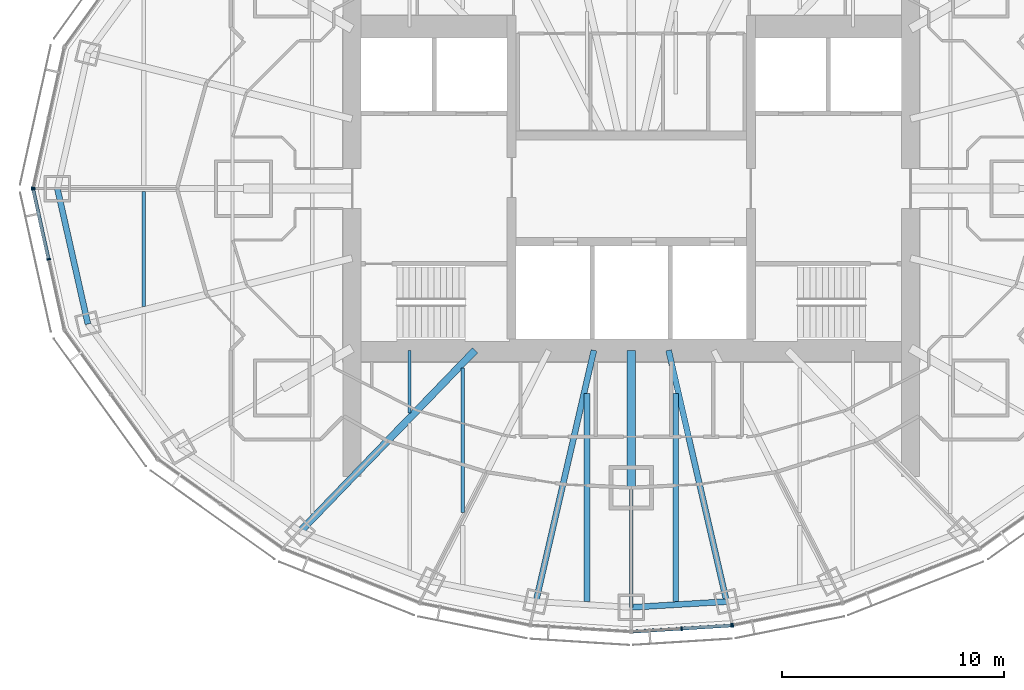
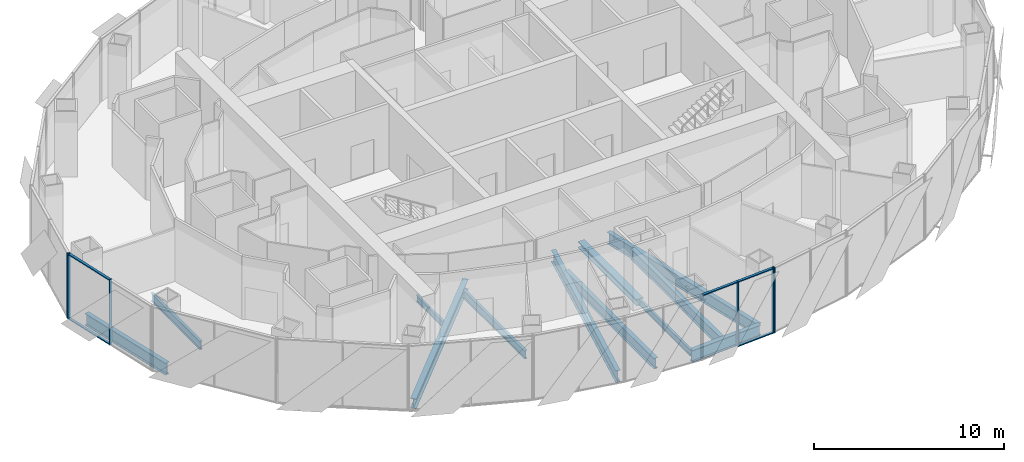
# One storey, part 3 of 18: 12 beams, 11 members, 4 elements without a shape of their own.
"""IFC4 building model written with IfcOpenShell, lengths in metres."""

from ifc_helpers import new_model, si_unit, direction, frame, origin, origin_2d, place, context, subcontext, project, spatial, rectangle, i_section, extrude, material, material_profile, profile_set, type_object, element, aggregate, save


model = new_model("IFC4")

# Units and contexts
model_context = context("Model", 3, precision=1e-05, world=origin(), true_north=direction((0.0, 1.0)))
body_context = subcontext(model_context, "Body", "Model", "MODEL_VIEW")
ifc_project = project(units=[si_unit("LENGTHUNIT", "METRE"), si_unit("AREAUNIT", "SQUARE_METRE"), si_unit("VOLUMEUNIT", "CUBIC_METRE"), si_unit("PLANEANGLEUNIT", "RADIAN"), si_unit("MASSUNIT", "GRAM", prefix="KILO")], contexts=[model_context])

# Site, building, storey
site_placement = place(None, origin())
site = spatial("IfcSite", under=ifc_project, at=site_placement, CompositionType="ELEMENT")
building_placement = place(site_placement, origin())
building = spatial("IfcBuilding", under=site, at=building_placement, Name="Lantaw Convention Tower", CompositionType="ELEMENT")
storey_placement = place(building_placement, frame((0.0, 0.0, 236.800048828125)))
storey = spatial("IfcBuildingStorey", under=building, at=storey_placement, Name="L55", CompositionType="ELEMENT", Elevation=236.800048828125)

# Beams
ifc_material_1 = material(Name="Steel ASTM A992", Category="steel")
ifc_material_profile_1 = material_profile(ifc_material_1, i_section(OverallWidth=0.2666015625, OverallDepth=0.76953125, WebThickness=0.015625, FlangeThickness=0.025390625, FilletRadius=0.0126953125, at=origin_2d()), Name="W30X132")
ifc_profile_set_1 = profile_set([ifc_material_profile_1], Name="Steel ASTM A992")
beam_type_1 = type_object("IfcBeamType", Name="Beam E W30X132", PredefinedType="SPANDREL", material=ifc_profile_set_1)
beam_1_placement = place(storey_placement, frame((-25.89990234375, 0.0, -0.534912109375), z_axis=(0.219857926596, -0.97553190215, 0.0), x_axis=(0.97553190215, 0.219857926596, 0.0)))
element("IfcBeam", 1, at=beam_1_placement, inside=storey, type_object=beam_type_1, Name="Edge beam 13", PredefinedType="SPANDREL", context=body_context, shape_type="SweptSolid", body=[
    extrude(i_section(OverallWidth=0.2666015625, OverallDepth=0.76953125, WebThickness=0.015625, FlangeThickness=0.025390625, FilletRadius=0.0126953125, at=origin_2d()), origin(), (0.0, 0.0, 1.0), 6.267333984375),
])
beam_2_placement = place(storey_placement, frame((0.0, -18.89990234375, -0.534912109375), z_axis=(0.998210730897, 0.059794119452, 0.0), x_axis=(-0.059794119452, 0.998210730897, 0.0)))
element("IfcBeam", 2, at=beam_2_placement, inside=storey, type_object=beam_type_1, Name="Edge beam 19", PredefinedType="SPANDREL", context=body_context, shape_type="SweptSolid", body=[
    extrude(i_section(OverallWidth=0.2666015625, OverallDepth=0.76953125, WebThickness=0.015625, FlangeThickness=0.025390625, FilletRadius=0.0126953125, at=origin_2d()), origin(), (0.0, 0.0, 1.0), 4.311767578125),
])
ifc_material_profile_2 = material_profile(ifc_material_1, i_section(OverallWidth=0.140380859375, OverallDepth=0.40380859375, WebThickness=0.007080078125, FlangeThickness=0.01123046875, FilletRadius=0.01025390625, at=origin_2d()), Name="W16X31")
ifc_profile_set_2 = profile_set([ifc_material_profile_2], Name="Steel ASTM A992")
beam_type_2 = type_object("IfcBeamType", Name="Beam G W16X31", PredefinedType="BEAM", material=ifc_profile_set_2)
beam_3_placement = place(storey_placement, frame((0.0, -13.5, -0.35205078125), z_axis=(0.0, -1.0, 0.0), x_axis=(1.0, 0.0, 0.0)))
element("IfcBeam", 3, at=beam_3_placement, inside=storey, type_object=beam_type_2, Name="Floor girder on ray 19", PredefinedType="BEAM", context=body_context, shape_type="SweptSolid", body=[
    extrude(i_section(OverallWidth=0.140380859375, OverallDepth=0.40380859375, WebThickness=0.007080078125, FlangeThickness=0.01123046875, FilletRadius=0.01025390625, at=origin_2d()), origin(), (0.0, 0.0, 1.0), 5.39990234375),
])
ifc_material_profile_3 = material_profile(ifc_material_1, i_section(OverallWidth=0.32763671875, OverallDepth=0.64013671875, WebThickness=0.01904296875, FlangeThickness=0.033935546875, FilletRadius=0.0126953125, at=origin_2d()), Name="W24X176")
ifc_profile_set_3 = profile_set([ifc_material_profile_3], Name="Steel ASTM A992")
beam_type_3 = type_object("IfcBeamType", Name="Beam G W24X176", PredefinedType="BEAM", material=ifc_profile_set_3)
beam_4_placement = place(storey_placement, frame((-7.049560546875, -7.300048828125, -0.469970703125), z_axis=(-0.694657766726, -0.719340383356, 0.0), x_axis=(0.719340383356, -0.694657766726, 0.0)))
element("IfcBeam", 4, at=beam_4_placement, inside=storey, type_object=beam_type_3, Name="Floor girder on ray 16", PredefinedType="BEAM", context=body_context, shape_type="SweptSolid", body=[
    extrude(i_section(OverallWidth=0.32763671875, OverallDepth=0.64013671875, WebThickness=0.01904296875, FlangeThickness=0.033935546875, FilletRadius=0.0126953125, at=origin_2d()), origin(), (0.0, 0.0, 1.0), 11.364990234375),
])
ifc_material_profile_4 = material_profile(ifc_material_1, i_section(OverallWidth=0.2666015625, OverallDepth=0.7568359375, WebThickness=0.013916015625, FlangeThickness=0.019287109375, FilletRadius=0.0126953125, at=origin_2d()), Name="W30X108")
ifc_profile_set_4 = profile_set([ifc_material_profile_4], Name="Steel ASTM A992")
beam_type_4 = type_object("IfcBeamType", Name="Beam G W30X108", PredefinedType="BEAM", material=ifc_profile_set_4)
for number, where, z_axis, x_axis, name in (
    (5, (-1.685302734375, -7.300048828125, -0.528564453125), (-0.224962134377, -0.974367506692, 0.0), (0.974367506692, -0.224962134377, 0.0), "Floor girder on ray 18"),
    (6, (1.685302734375, -7.300048828125, -0.528564453125), (0.224962134377, -0.974367506692, 0.0), (0.974367506692, 0.224962134377, 0.0), "Floor girder on ray 20"),
):
    element("IfcBeam", number, at=place(storey_placement, frame(where, z_axis=z_axis, x_axis=x_axis)), inside=storey, type_object=beam_type_4, Name=name, PredefinedType="BEAM", context=body_context, shape_type="SweptSolid", body=[
        extrude(i_section(OverallWidth=0.2666015625, OverallDepth=0.7568359375, WebThickness=0.013916015625, FlangeThickness=0.019287109375, FilletRadius=0.0126953125, at=origin_2d()), origin(), (0.0, 0.0, 1.0), 11.640380859375),
    ])
ifc_material_profile_5 = material_profile(ifc_material_1, i_section(OverallWidth=0.40380859375, OverallDepth=0.406494140625, WebThickness=0.027099609375, FlangeThickness=0.043701171875, FilletRadius=0.01513671875, at=origin_2d()), Name="W14X233")
ifc_profile_set_5 = profile_set([ifc_material_profile_5], Name="Steel ASTM A992")
beam_type_5 = type_object("IfcBeamType", Name="Beam GM W14X233", PredefinedType="BEAM", material=ifc_profile_set_5)
beam_5_placement = place(storey_placement, frame((0.0, -7.300048828125, -0.353271484375), z_axis=(0.0, -1.0, 0.0), x_axis=(1.0, 0.0, 0.0)))
element("IfcBeam", 7, at=beam_5_placement, inside=storey, type_object=beam_type_5, Name="Core link beam on ray 19", PredefinedType="BEAM", context=body_context, shape_type="SweptSolid", body=[
    extrude(i_section(OverallWidth=0.40380859375, OverallDepth=0.406494140625, WebThickness=0.027099609375, FlangeThickness=0.043701171875, FilletRadius=0.01513671875, at=origin_2d()), origin(), (0.0, 0.0, 1.0), 6.199951171875),
])
ifc_material_profile_6 = material_profile(ifc_material_1, i_section(OverallWidth=0.140380859375, OverallDepth=0.40380859375, WebThickness=0.007080078125, FlangeThickness=0.01123046875, FilletRadius=0.01025390625, at=origin_2d()), Name="W16X31")
ifc_profile_set_6 = profile_set([ifc_material_profile_6], Name="Steel ASTM A992")
beam_type_6 = type_object("IfcBeamType", Name="Beam J W16X31", PredefinedType="JOIST", material=ifc_profile_set_6)
beam_6_placement = place(storey_placement, frame((-10.0, -10.119384765625, -0.35205078125), z_axis=(0.0, 1.0, 0.0), x_axis=(-1.0, 0.0, 0.0)))
element("IfcBeam", 8, at=beam_6_placement, inside=storey, type_object=beam_type_6, Name="Floor joist", PredefinedType="JOIST", context=body_context, shape_type="SweptSolid", body=[
    extrude(i_section(OverallWidth=0.140380859375, OverallDepth=0.40380859375, WebThickness=0.007080078125, FlangeThickness=0.01123046875, FilletRadius=0.01025390625, at=origin_2d()), origin(), (0.0, 0.0, 1.0), 2.8193359375),
])
ifc_material_profile_7 = material_profile(ifc_material_1, i_section(OverallWidth=0.1650390625, OverallDepth=0.52587890625, WebThickness=0.0087890625, FlangeThickness=0.011474609375, FilletRadius=0.0126953125, at=origin_2d()), Name="W21X44")
ifc_profile_set_7 = profile_set([ifc_material_profile_7], Name="Steel ASTM A992")
beam_type_7 = type_object("IfcBeamType", Name="Beam J W21X44", PredefinedType="JOIST", material=ifc_profile_set_7)
beam_7_placement = place(storey_placement, frame((-22.0, -5.326904296875, -0.412841796875), z_axis=(0.0, 1.0, 0.0), x_axis=(-1.0, 0.0, 0.0)))
element("IfcBeam", 9, at=beam_7_placement, inside=storey, type_object=beam_type_7, Name="Floor joist", PredefinedType="JOIST", context=body_context, shape_type="SweptSolid", body=[
    extrude(i_section(OverallWidth=0.1650390625, OverallDepth=0.52587890625, WebThickness=0.0087890625, FlangeThickness=0.011474609375, FilletRadius=0.0126953125, at=origin_2d()), origin(), (0.0, 0.0, 1.0), 5.199951171875),
])
beam_8_placement = place(storey_placement, frame((-7.60009765625, -14.6220703125, -0.412841796875), z_axis=(0.0, 1.0, 0.0), x_axis=(-1.0, 0.0, 0.0)))
element("IfcBeam", 10, at=beam_8_placement, inside=storey, type_object=beam_type_7, Name="Floor joist", PredefinedType="JOIST", context=body_context, shape_type="SweptSolid", body=[
    extrude(i_section(OverallWidth=0.1650390625, OverallDepth=0.52587890625, WebThickness=0.0087890625, FlangeThickness=0.011474609375, FilletRadius=0.0126953125, at=origin_2d()), origin(), (0.0, 0.0, 1.0), 6.51611328125),
])
ifc_material_profile_8 = material_profile(ifc_material_1, i_section(OverallWidth=0.25390625, OverallDepth=0.683349609375, WebThickness=0.012451171875, FlangeThickness=0.01904296875, FilletRadius=0.01513671875, at=origin_2d()), Name="W27X94")
ifc_profile_set_8 = profile_set([ifc_material_profile_8], Name="Steel ASTM A992")
beam_type_8 = type_object("IfcBeamType", Name="Beam J W27X94", PredefinedType="JOIST", material=ifc_profile_set_8)
for number, where, z_axis, x_axis, name in (
    (11, (-2.0, -18.646484375, -0.49169921875), (0.0, 1.0, 0.0), (-1.0, 0.0, 0.0), "Floor joist"),
    (12, (2.0, -18.646484375, -0.49169921875), (0.0, 1.0, 0.0), (-1.0, 0.0, 0.0), "Floor joist"),
):
    element("IfcBeam", number, at=place(storey_placement, frame(where, z_axis=z_axis, x_axis=x_axis)), inside=storey, type_object=beam_type_8, Name=name, PredefinedType="JOIST", context=body_context, shape_type="SweptSolid", body=[
        extrude(i_section(OverallWidth=0.25390625, OverallDepth=0.683349609375, WebThickness=0.012451171875, FlangeThickness=0.01904296875, FilletRadius=0.01513671875, at=origin_2d()), origin(), (0.0, 0.0, 1.0), 9.390625),
    ])

# Curtain wall, member
ifc_material_2 = material(Name="Aluminium framed curtain wall", Category="aluminium")
curtain_wall_type = type_object("IfcCurtainWallType", Name="Office curtain wall high rise, pale aluminium", PredefinedType="USERDEFINED", material=ifc_material_2)
curtain_wall_1_placement = place(storey_placement, origin())
curtain_wall_1 = element("IfcCurtainWall", 13, at=curtain_wall_1_placement, inside=storey, type_object=curtain_wall_type, Name="Office curtain wall high rise, pale aluminium L55", ObjectType="UNITISED CURTAIN WALL", PredefinedType="USERDEFINED")
ifc_material_3 = material(Name="Aluminium 6063-T6", Category="aluminium")
ifc_material_profile_9 = material_profile(ifc_material_3, rectangle(XDim=0.179931640625, YDim=0.06494140625, at=origin_2d()), Name="CW-O2 mullion 65x180")
ifc_profile_set_9 = profile_set([ifc_material_profile_9], Name="Aluminium 6063-T6")
member_type_1 = type_object("IfcMemberType", Name="CW-O2 mullion 65x180", PredefinedType="MULLION", material=ifc_profile_set_9)
member_1_placement = place(storey_placement, frame((-26.992919921875, 0.03173828125, -0.150146484375), z_axis=(0.0, 0.0, 1.0), x_axis=(0.976417396437, -0.215891333626, 0.0)))
member_1 = element("IfcMember", 14, at=member_1_placement, type_object=member_type_1, Name="CW-O2 mullion 3", PredefinedType="MULLION", context=body_context, shape_type="SweptSolid", body=[
    extrude(rectangle(XDim=0.179931640625, YDim=0.06494140625, at=origin_2d()), origin(), (0.0, 0.0, 1.0), 4.2001953125),
])
aggregate(curtain_wall_1, [member_1])

# Curtain wall, members
curtain_wall_2_placement = place(storey_placement, origin())
curtain_wall_2 = element("IfcCurtainWall", 15, at=curtain_wall_2_placement, inside=storey, type_object=curtain_wall_type, Name="Office curtain wall high rise, pale aluminium L55", ObjectType="UNITISED CURTAIN WALL", PredefinedType="USERDEFINED")
member_2_placement = place(storey_placement, frame((-26.992919921875, -0.03173828125, -0.150146484375), z_axis=(0.0, 0.0, 1.0), x_axis=(0.976417396437, 0.215891333626, 0.0)))
member_2 = element("IfcMember", 16, at=member_2_placement, type_object=member_type_1, Name="CW-O2 mullion 1", PredefinedType="MULLION", context=body_context, shape_type="SweptSolid", body=[
    extrude(rectangle(XDim=0.179931640625, YDim=0.06494140625, at=origin_2d()), origin(), (0.0, 0.0, 1.0), 4.2001953125),
])
member_3_placement = place(storey_placement, frame((-26.294677734375, -3.190185546875, -0.150146484375), z_axis=(0.0, 0.0, 1.0), x_axis=(0.976417396437, 0.215891333626, 0.0)))
member_3 = element("IfcMember", 17, at=member_3_placement, type_object=member_type_1, Name="CW-O2 mullion 2", PredefinedType="MULLION", context=body_context, shape_type="SweptSolid", body=[
    extrude(rectangle(XDim=0.179931640625, YDim=0.06494140625, at=origin_2d()), origin(), (0.0, 0.0, 1.0), 4.2001953125),
])

curtain_wall_3_placement = place(storey_placement, origin())
curtain_wall_3 = element("IfcCurtainWall", 18, at=curtain_wall_3_placement, inside=storey, type_object=curtain_wall_type, Name="Office curtain wall high rise, pale aluminium L55", ObjectType="UNITISED CURTAIN WALL", PredefinedType="USERDEFINED")
member_4_placement = place(storey_placement, frame((2.275634765625, -19.85693359375, -0.150146484375), z_axis=(0.0, 0.0, 1.0), x_axis=(-0.062757983884, 0.998028774865, 0.0)))
member_4 = element("IfcMember", 19, at=member_4_placement, type_object=member_type_1, Name="CW-O2 mullion 2", PredefinedType="MULLION", context=body_context, shape_type="SweptSolid", body=[
    extrude(rectangle(XDim=0.179931640625, YDim=0.06494140625, at=origin_2d()), origin(), (0.0, 0.0, 1.0), 4.2001953125),
])
member_5_placement = place(storey_placement, frame((4.518798828125, -19.7158203125, -0.150146484375), z_axis=(0.0, 0.0, 1.0), x_axis=(-0.062757983884, 0.998028774865, 0.0)))
member_5 = element("IfcMember", 20, at=member_5_placement, type_object=member_type_1, Name="CW-O2 mullion 3", PredefinedType="MULLION", context=body_context, shape_type="SweptSolid", body=[
    extrude(rectangle(XDim=0.179931640625, YDim=0.06494140625, at=origin_2d()), origin(), (0.0, 0.0, 1.0), 4.2001953125),
])

# Curtain wall, member
curtain_wall_4_placement = place(storey_placement, origin())
curtain_wall_4 = element("IfcCurtainWall", 21, at=curtain_wall_4_placement, inside=storey, type_object=curtain_wall_type, Name="Office curtain wall high rise, pale aluminium L55", ObjectType="UNITISED CURTAIN WALL", PredefinedType="USERDEFINED")
member_6_placement = place(storey_placement, frame((4.583251953125, -19.70751953125, -0.150146484375), z_axis=(0.0, 0.0, 1.0), x_axis=(-0.197183095987, 0.980366679695, 0.0)))
member_6 = element("IfcMember", 22, at=member_6_placement, type_object=member_type_1, Name="CW-O2 mullion 1", PredefinedType="MULLION", context=body_context, shape_type="SweptSolid", body=[
    extrude(rectangle(XDim=0.179931640625, YDim=0.06494140625, at=origin_2d()), origin(), (0.0, 0.0, 1.0), 4.2001953125),
])
aggregate(curtain_wall_4, [member_6])

# Member
ifc_material_profile_10 = material_profile(ifc_material_3, rectangle(XDim=0.14990234375, YDim=0.06494140625, at=origin_2d()), Name="CW-O2 transom 65x150")
ifc_profile_set_10 = profile_set([ifc_material_profile_10], Name="Aluminium 6063-T6")
member_type_2 = type_object("IfcMemberType", Name="CW-O2 transom 65x150", PredefinedType="USERDEFINED", material=ifc_profile_set_10)
member_7_placement = place(storey_placement, frame((-26.986083984375, -0.0634765625, -0.117431640625), z_axis=(0.215894607042, -0.976416672661, 0.0), x_axis=(0.976416672661, 0.215894607042, 0.0)))
member_7 = element("IfcMember", 23, at=member_7_placement, type_object=member_type_2, Name="CW-O2 transom 1.1", ObjectType="TRANSOM", PredefinedType="USERDEFINED", context=body_context, shape_type="SweptSolid", body=[
    extrude(rectangle(XDim=0.14990234375, YDim=0.06494140625, at=origin_2d()), origin(), (0.0, 0.0, 1.0), 3.169677734375),
])

member_8_placement = place(storey_placement, frame((-26.986083984375, -0.0634765625, 4.017333984375), z_axis=(0.215894607042, -0.976416672661, 0.0), x_axis=(0.976416672661, 0.215894607042, 0.0)))
member_8 = element("IfcMember", 24, at=member_8_placement, type_object=member_type_2, Name="CW-O2 transom 1.2", ObjectType="TRANSOM", PredefinedType="USERDEFINED", context=body_context, shape_type="SweptSolid", body=[
    extrude(rectangle(XDim=0.14990234375, YDim=0.06494140625, at=origin_2d()), origin(), (0.0, 0.0, 1.0), 3.169677734375),
])

aggregate(curtain_wall_2, [member_2, member_3, member_7, member_8])

member_9_placement = place(storey_placement, frame((0.06494140625, -19.995849609375, 4.017333984375), z_axis=(0.998029003644, 0.062754345555, 0.0), x_axis=(-0.062754345555, 0.998029003644, 0.0)))
member_9 = element("IfcMember", 25, at=member_9_placement, type_object=member_type_2, Name="CW-O2 transom 1.2", ObjectType="TRANSOM", PredefinedType="USERDEFINED", context=body_context, shape_type="SweptSolid", body=[
    extrude(rectangle(XDim=0.14990234375, YDim=0.06494140625, at=origin_2d()), origin(), (0.0, 0.0, 1.0), 2.1826171875),
])

member_10_placement = place(storey_placement, frame((2.30810546875, -19.85498046875, -0.117431640625), z_axis=(0.998021991509, 0.062865765437, 0.0), x_axis=(-0.062865765437, 0.998021991509, 0.0)))
member_10 = element("IfcMember", 26, at=member_10_placement, type_object=member_type_2, Name="CW-O2 transom 2.1", ObjectType="TRANSOM", PredefinedType="USERDEFINED", context=body_context, shape_type="SweptSolid", body=[
    extrude(rectangle(XDim=0.14990234375, YDim=0.06494140625, at=origin_2d()), origin(), (0.0, 0.0, 1.0), 2.1826171875),
])

member_11_placement = place(storey_placement, frame((2.30810546875, -19.85498046875, 4.017333984375), z_axis=(0.998021991509, 0.062865765437, 0.0), x_axis=(-0.062865765437, 0.998021991509, 0.0)))
member_11 = element("IfcMember", 27, at=member_11_placement, type_object=member_type_2, Name="CW-O2 transom 2.2", ObjectType="TRANSOM", PredefinedType="USERDEFINED", context=body_context, shape_type="SweptSolid", body=[
    extrude(rectangle(XDim=0.14990234375, YDim=0.06494140625, at=origin_2d()), origin(), (0.0, 0.0, 1.0), 2.1826171875),
])

aggregate(curtain_wall_3, [member_4, member_5, member_9, member_10, member_11])

save(model, "model.ifc")
